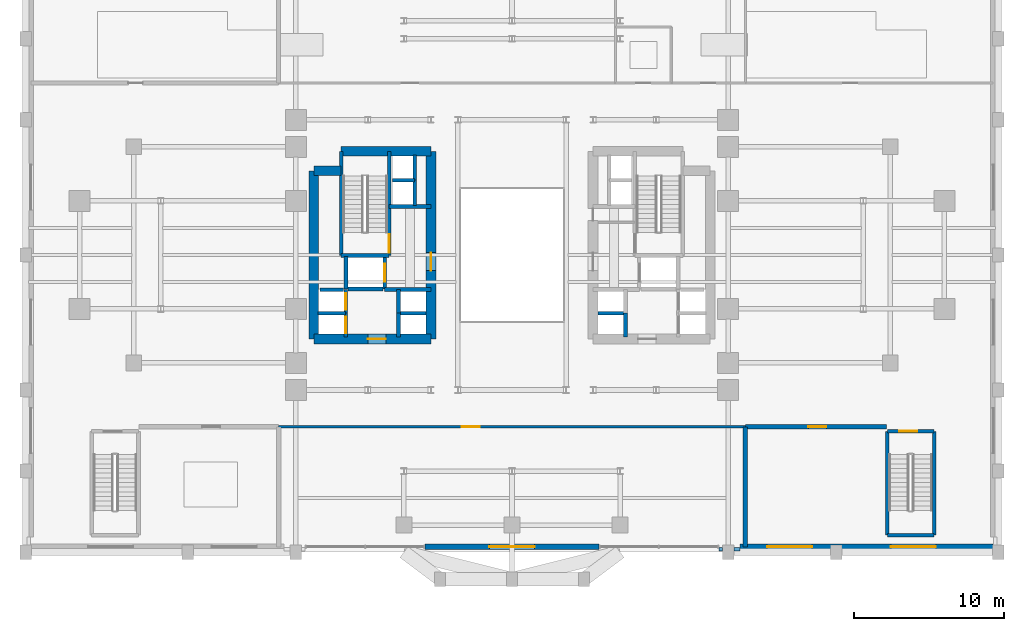
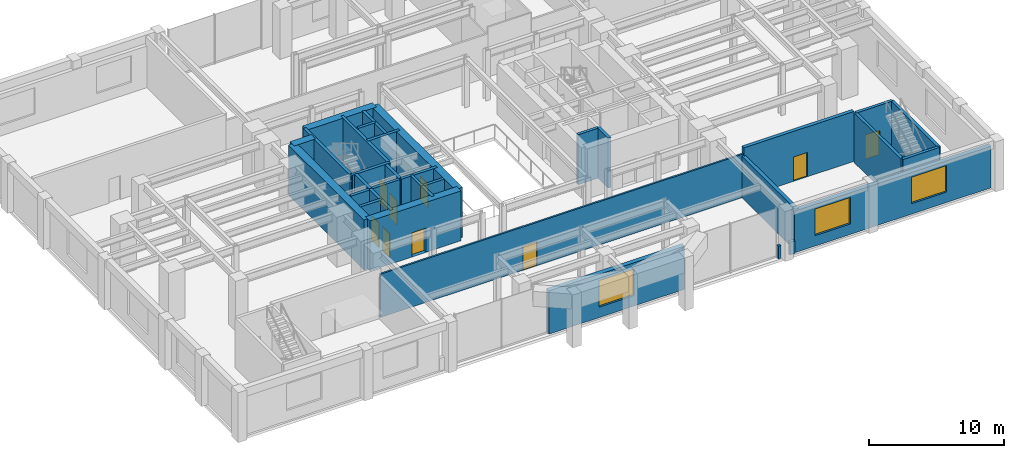
# One storey, part 10 of 14: 36 walls, 9 doors, 3 windows, 12 openings.
"""IFC4 building model written with IfcOpenShell, lengths in metres."""

from ifc_helpers import new_model, si_unit, direction, frame, frame_2d, origin, place, context, subcontext, project, spatial, rectangle, extrude, source, transform, mapped, material, layer, layer_set, type_object, element, fill, save


model = new_model("IFC4")

# Units and contexts
model_context = context("Model", 3, precision=1e-05, world=origin(), true_north=direction((0.0, 1.0)))
body_context = subcontext(model_context, "Body", "Model", "MODEL_VIEW")
ifc_project = project(units=[si_unit("LENGTHUNIT", "METRE"), si_unit("AREAUNIT", "SQUARE_METRE"), si_unit("VOLUMEUNIT", "CUBIC_METRE"), si_unit("PLANEANGLEUNIT", "RADIAN"), si_unit("MASSUNIT", "GRAM", prefix="KILO")], contexts=[model_context])

# Site, building, storey
site_placement = place(None, origin())
site = spatial("IfcSite", under=ifc_project, at=site_placement, CompositionType="ELEMENT")
building_placement = place(site_placement, origin())
building = spatial("IfcBuilding", under=site, at=building_placement, Name="Keilestroom Media Tower", CompositionType="ELEMENT")
storey_placement = place(building_placement, frame((0.0, 0.0, 5.39990234375)))
storey = spatial("IfcBuildingStorey", under=building, at=storey_placement, Name="L01", CompositionType="ELEMENT", Elevation=5.39990234375)

# Wall, opening, door
ifc_material_1 = material(Name="Concrete C45/55", Category="concrete")
ifc_layer_1 = layer(ifc_material_1, 0.300048828125)
ifc_layer_set_1 = layer_set([ifc_layer_1], Name="Concrete C45/55")
wall_type_1 = type_object("IfcWallType", Name="Acoustic-Studio-Isolation-Wall-300", PredefinedType="SOLIDWALL", material=ifc_layer_set_1)
wall_1_placement = place(storey_placement, frame((15.550048828125, -11.449951171875, 0.0), z_axis=(0.0, 0.0, 1.0), x_axis=(1.0, 0.0, 0.0)))
wall_1 = element("IfcWall", 1, at=wall_1_placement, inside=storey, type_object=wall_type_1, Name="L01 Interior Wall WP-L01-STD-SE-N", PredefinedType="SOLIDWALL", context=body_context, shape_type="SweptSolid", body=[
    extrude(rectangle(XDim=9.409912109375, YDim=0.300048828125, at=frame_2d((4.705078125, 0.0))), origin(), (0.0, 0.0, 1.0), 4.52001953125),
])
opening_1_placement = place(wall_1_placement, frame((4.199951171875, 0.0, 0.0)))
opening_1 = element("IfcOpeningElement", 2, at=opening_1_placement, cuts=wall_1, Name="Opening DI-02", PredefinedType="OPENING", context=body_context, shape_type="SweptSolid", body=[
    extrude(rectangle(XDim=1.199951171875, YDim=2.199951171875, at=frame_2d((0.60009765625, 1.10009765625))), frame((0.0, 0.16015625, 0.0), z_axis=(0.0, -1.0, 0.0), x_axis=(1.0, 0.0, 0.0)), (0.0, 0.0, 1.0), 0.320068359375),
])
ifc_material_2 = material(Name="Powder-Coated Steel Fire Leaf", Category="steel")
door_type_1 = type_object("IfcDoorType", Name="Interior-Compartment-Fire-Door-DI-02", OperationType="NOTDEFINED", PredefinedType="DOOR", material=ifc_material_2)
shared_shape_1 = source(origin(), body_context, "Body", "SweptSolid", [
    extrude(rectangle(XDim=1.199951171875, YDim=2.199951171875, at=frame_2d((0.60009765625, 1.10009765625))), frame((0.0, 0.02490234375, 0.0), z_axis=(0.0, -1.0, 0.0), x_axis=(1.0, 0.0, 0.0)), (0.0, 0.0, 1.0), 0.050048828125),
])
door_1_placement = place(opening_1_placement, origin())
door_1 = element("IfcDoor", 3, at=door_1_placement, inside=storey, type_object=door_type_1, Name="L01 Interior Door DI-L01-STD-SE-D", OperationType="SINGLE_SWING_RIGHT", OverallHeight=2.199951171875, OverallWidth=1.199951171875, PredefinedType="DOOR", context=body_context, shape_type="MappedRepresentation", body=[
    mapped(shared_shape_1, transform((0.0, 0.0, 0.0), x_axis=(1.0, 0.0, 0.0), y_axis=(0.0, 1.0, 0.0), z_axis=(0.0, 0.0, 1.0), scale=1.0)),
])
fill(opening_1, door_1)

# Wall
wall_2_placement = place(storey_placement, frame((15.550048828125, -19.449951171875, 0.0), z_axis=(0.0, 0.0, 1.0), x_axis=(0.0, 1.0, 0.0)))
element("IfcWall", 4, at=wall_2_placement, inside=storey, type_object=wall_type_1, Name="L01 Interior Wall WP-L01-STD-SE-W", PredefinedType="SOLIDWALL", context=body_context, shape_type="SweptSolid", body=[
    extrude(rectangle(XDim=8.0, YDim=0.300048828125, at=frame_2d((4.0, 0.0))), origin(), (0.0, 0.0, 1.0), 3.77001953125),
])

# Wall, openings, windows
ifc_material_3 = material(Name="Precast concrete C40/50", Category="concrete")
ifc_layer_2 = layer(ifc_material_3, 0.3798828125)
ifc_layer_set_2 = layer_set([ifc_layer_2], Name="Precast concrete C40/50")
wall_type_2 = type_object("IfcWallType", Name="Exterior-Masonry-Spandrel-Wall-380", PredefinedType="SOLIDWALL", material=ifc_layer_set_2)
wall_3_placement = place(storey_placement, frame((15.199951171875, -19.449951171875, 0.0), z_axis=(0.0, 0.0, 1.0), x_axis=(1.0, 0.0, 0.0)))
wall_3 = element("IfcWall", 5, at=wall_3_placement, inside=storey, type_object=wall_type_2, Name="L01 Podium Precast Masonry Wall EWL-L01-S-E", PredefinedType="SOLIDWALL", context=body_context, shape_type="SweptSolid", body=[
    extrude(rectangle(XDim=16.85009765625, YDim=0.3798828125, at=frame_2d((8.425048828125, 0.0))), origin(), (0.0, 0.0, 1.0), 3.77001953125),
])
opening_2_placement = place(wall_3_placement, frame((1.7880859375, 0.0, 0.949951171875)))
opening_2 = element("IfcOpeningElement", 6, at=opening_2_placement, cuts=wall_3, Name="Opening WN-05", PredefinedType="OPENING", context=body_context, shape_type="SweptSolid", body=[
    extrude(rectangle(XDim=3.0, YDim=2.39990234375, at=frame_2d((1.5, 1.199951171875))), frame((0.0, 0.199951171875, 0.0), z_axis=(0.0, -1.0, 0.0), x_axis=(1.0, 0.0, 0.0)), (0.0, 0.0, 1.0), 0.39990234375),
])
opening_3_placement = place(wall_3_placement, frame((10.037109375, 0.0, 0.949951171875)))
opening_3 = element("IfcOpeningElement", 7, at=opening_3_placement, cuts=wall_3, Name="Opening WN-05", PredefinedType="OPENING", context=body_context, shape_type="SweptSolid", body=[
    extrude(rectangle(XDim=3.0, YDim=2.39990234375, at=frame_2d((1.5, 1.199951171875))), frame((0.0, 0.199951171875, 0.0), z_axis=(0.0, -1.0, 0.0), x_axis=(1.0, 0.0, 0.0)), (0.0, 0.0, 1.0), 0.39990234375),
])
ifc_material_4 = material(Name="Acoustic Studio Observation Window", Category="glass")
window_type = type_object("IfcWindowType", Name="Recessed-Punched-Window-WN-05", PartitioningType="TRIPLE_PANEL_VERTICAL", PredefinedType="WINDOW", material=ifc_material_4)
shared_shape_2 = source(origin(), body_context, "Body", "SweptSolid", [
    extrude(rectangle(XDim=3.0, YDim=2.39990234375, at=frame_2d((1.5, 1.199951171875))), frame((0.0, 0.030029296875, 0.0), z_axis=(0.0, -1.0, 0.0), x_axis=(1.0, 0.0, 0.0)), (0.0, 0.0, 1.0), 0.06005859375),
])
window_1_placement = place(opening_2_placement, origin())
window_1 = element("IfcWindow", 8, at=window_1_placement, inside=storey, type_object=window_type, Name="L01 Window WN-05 EWL-L01-S-E-1", OverallHeight=2.39990234375, OverallWidth=3.0, PartitioningType="SINGLE_PANEL", PredefinedType="WINDOW", context=body_context, shape_type="MappedRepresentation", body=[
    mapped(shared_shape_2, transform((0.0, 0.0, 0.0), x_axis=(1.0, 0.0, 0.0), y_axis=(0.0, 1.0, 0.0), z_axis=(0.0, 0.0, 1.0), scale=1.0)),
])
fill(opening_2, window_1)
window_2_placement = place(opening_3_placement, origin())
window_2 = element("IfcWindow", 9, at=window_2_placement, inside=storey, type_object=window_type, Name="L01 Window WN-05 EWL-L01-S-E-2", OverallHeight=2.39990234375, OverallWidth=3.0, PartitioningType="SINGLE_PANEL", PredefinedType="WINDOW", context=body_context, shape_type="MappedRepresentation", body=[
    mapped(shared_shape_2, transform((0.0, 0.0, 0.0), x_axis=(1.0, 0.0, 0.0), y_axis=(0.0, 1.0, 0.0), z_axis=(0.0, 0.0, 1.0), scale=1.0)),
])
fill(opening_3, window_2)

# Wall, opening, window
wall_4_placement = place(storey_placement, frame((-5.804931640625, -19.449951171875, 0.0), z_axis=(0.0, 0.0, 1.0), x_axis=(1.0, 0.0, 0.0)))
wall_4 = element("IfcWall", 10, at=wall_4_placement, inside=storey, type_object=wall_type_2, Name="L01 Podium Precast Masonry Wall EWL-L01-S-C-1", PredefinedType="SOLIDWALL", context=body_context, shape_type="SweptSolid", body=[
    extrude(rectangle(XDim=11.60986328125, YDim=0.3798828125, at=frame_2d((5.804931640625, 0.0))), origin(), (0.0, 0.0, 1.0), 3.920166015625),
])
opening_4_placement = place(wall_4_placement, frame((4.304931640625, 0.0, 0.949951171875)))
opening_4 = element("IfcOpeningElement", 11, at=opening_4_placement, cuts=wall_4, Name="Opening WN-05", PredefinedType="OPENING", context=body_context, shape_type="SweptSolid", body=[
    extrude(rectangle(XDim=3.0, YDim=2.39990234375, at=frame_2d((1.5, 1.199951171875))), frame((0.0, 0.199951171875, 0.0), z_axis=(0.0, -1.0, 0.0), x_axis=(1.0, 0.0, 0.0)), (0.0, 0.0, 1.0), 0.39990234375),
])
window_3_placement = place(opening_4_placement, origin())
window_3 = element("IfcWindow", 12, at=window_3_placement, inside=storey, type_object=window_type, Name="L01 Window WN-05 EWL-L01-S-C-1-1", OverallHeight=2.39990234375, OverallWidth=3.0, PartitioningType="SINGLE_PANEL", PredefinedType="WINDOW", context=body_context, shape_type="MappedRepresentation", body=[
    mapped(shared_shape_2, transform((0.0, 0.0, 0.0), x_axis=(1.0, 0.0, 0.0), y_axis=(0.0, 1.0, 0.0), z_axis=(0.0, 0.0, 1.0), scale=1.0)),
])
fill(opening_4, window_3)

# Wall, opening, door
ifc_material_5 = material(Name="Gypsum Plasterboard & Steel Stud", Category="steel")
ifc_layer_3 = layer(ifc_material_5, 0.14990234375)
ifc_layer_set_3 = layer_set([ifc_layer_3], Name="Gypsum Plasterboard & Steel Stud")
wall_type_3 = type_object("IfcWallType", Name="Interior-Partition-Wall-150", PredefinedType="PARTITIONING", material=ifc_layer_set_3)
wall_5_placement = place(storey_placement, frame((-15.550048828125, -11.449951171875, 0.0), z_axis=(0.0, 0.0, 1.0), x_axis=(1.0, 0.0, 0.0)))
wall_5 = element("IfcWall", 13, at=wall_5_placement, inside=storey, type_object=wall_type_3, Name="L01 Interior Wall WP-L01-ARCH-S-N", PredefinedType="PARTITIONING", context=body_context, shape_type="SweptSolid", body=[
    extrude(rectangle(XDim=31.10009765625, YDim=0.14990234375, at=frame_2d((15.550048828125, 0.0))), origin(), (0.0, 0.0, 1.0), 3.920166015625),
])
opening_5_placement = place(wall_5_placement, frame((12.199951171875, 0.0, 0.0)))
opening_5 = element("IfcOpeningElement", 14, at=opening_5_placement, cuts=wall_5, Name="Opening DI-02", PredefinedType="OPENING", context=body_context, shape_type="SweptSolid", body=[
    extrude(rectangle(XDim=1.199951171875, YDim=2.199951171875, at=frame_2d((0.60009765625, 1.10009765625))), frame((0.0, 0.0849609375, 0.0), z_axis=(0.0, -1.0, 0.0), x_axis=(1.0, 0.0, 0.0)), (0.0, 0.0, 1.0), 0.169921875),
])
door_2_placement = place(opening_5_placement, origin())
door_2 = element("IfcDoor", 15, at=door_2_placement, inside=storey, type_object=door_type_1, Name="L01 Interior Door DI-L01-ARCH-S-D", OperationType="SINGLE_SWING_LEFT", OverallHeight=2.199951171875, OverallWidth=1.199951171875, PredefinedType="DOOR", context=body_context, shape_type="MappedRepresentation", body=[
    mapped(shared_shape_1, transform((0.0, 0.0, 0.0), x_axis=(1.0, 0.0, 0.0), y_axis=(0.0, 1.0, 0.0), z_axis=(0.0, 0.0, 1.0), scale=1.0)),
])
fill(opening_5, door_2)

# Wall
ifc_material_6 = material(Name="Concrete C70/85", Category="concrete")
ifc_layer_4 = layer(ifc_material_6, 0.64990234375)
ifc_layer_set_4 = layer_set([ifc_layer_4], Name="Concrete C70/85")
wall_type_4 = type_object("IfcWallType", Name="Reinforced-Concrete-Core-Shear-Wall-650", PredefinedType="SHEAR", material=ifc_layer_set_4)
wall_6_placement = place(storey_placement, frame((-13.199951171875, -5.60009765625, 0.0), z_axis=(0.0, 0.0, 1.0), x_axis=(0.0, 1.0, 0.0)))
element("IfcWall", 16, at=wall_6_placement, inside=storey, type_object=wall_type_4, Name="L01 Core Shear Wall WL-L01-CORE-W-OUT", PredefinedType="SHEAR", context=body_context, shape_type="SweptSolid", body=[
    extrude(rectangle(XDim=11.2001953125, YDim=0.64990234375, at=frame_2d((5.60009765625, 0.0))), origin(), (0.0, 0.0, 1.0), 4.52001953125),
])

# Wall, opening, door
wall_7_placement = place(storey_placement, frame((-5.39990234375, -5.60009765625, 0.0), z_axis=(0.0, 0.0, 1.0), x_axis=(0.0, 1.0, 0.0)))
wall_7 = element("IfcWall", 17, at=wall_7_placement, inside=storey, type_object=wall_type_4, Name="L01 Core Shear Wall WL-L01-CORE-W-IN", PredefinedType="SHEAR", context=body_context, shape_type="SweptSolid", body=[
    extrude(rectangle(XDim=12.5, YDim=0.64990234375, at=frame_2d((6.25, 0.0))), origin(), (0.0, 0.0, 1.0), 4.52001953125),
])
opening_6_placement = place(wall_7_placement, frame((4.550048828125, 0.0, 0.0)))
opening_6 = element("IfcOpeningElement", 18, at=opening_6_placement, cuts=wall_7, Name="Opening DI-02", PredefinedType="OPENING", context=body_context, shape_type="SweptSolid", body=[
    extrude(rectangle(XDim=1.199951171875, YDim=2.199951171875, at=frame_2d((0.60009765625, 1.10009765625))), frame((0.0, 0.3349609375, 0.0), z_axis=(0.0, -1.0, 0.0), x_axis=(1.0, 0.0, 0.0)), (0.0, 0.0, 1.0), 0.669921875),
])
door_3_placement = place(opening_6_placement, origin())
door_3 = element("IfcDoor", 19, at=door_3_placement, inside=storey, type_object=door_type_1, Name="L01 W Firefighting Lobby Door", OperationType="SINGLE_SWING_RIGHT", OverallHeight=2.199951171875, OverallWidth=1.199951171875, PredefinedType="DOOR", context=body_context, shape_type="MappedRepresentation", body=[
    mapped(shared_shape_1, transform((0.0, 0.0, 0.0), x_axis=(1.0, 0.0, 0.0), y_axis=(0.0, 1.0, 0.0), z_axis=(0.0, 0.0, 1.0), scale=1.0)),
])
fill(opening_6, door_3)

# Walls
wall_8_placement = place(storey_placement, frame((-11.381103515625, 6.89990234375, 0.0), z_axis=(0.0, 0.0, 1.0), x_axis=(1.0, 0.0, 0.0)))
element("IfcWall", 20, at=wall_8_placement, inside=storey, type_object=wall_type_4, Name="L01 Core Shear Wall WL-L01-CORE-W-N", PredefinedType="SHEAR", context=body_context, shape_type="SweptSolid", body=[
    extrude(rectangle(XDim=5.981201171875, YDim=0.64990234375, at=frame_2d((2.99072265625, 0.0))), origin(), (0.0, 0.0, 1.0), 4.52001953125),
])
wall_9_placement = place(storey_placement, frame((-13.199951171875, 5.60009765625, 0.0), z_axis=(0.0, 0.0, 1.0), x_axis=(1.0, 0.0, 0.0)))
element("IfcWall", 21, at=wall_9_placement, inside=storey, type_object=wall_type_4, Name="L01 Core Shear Wall WL-L01-CNW-N", PredefinedType="SHEAR", context=body_context, shape_type="SweptSolid", body=[
    extrude(rectangle(XDim=1.81884765625, YDim=0.64990234375, at=frame_2d((0.909423828125, 0.0))), origin(), (0.0, 0.0, 1.0), 4.52001953125),
])

# Wall, opening, door
wall_10_placement = place(storey_placement, frame((-13.199951171875, -5.60009765625, 0.0), z_axis=(0.0, 0.0, 1.0), x_axis=(1.0, 0.0, 0.0)))
wall_10 = element("IfcWall", 22, at=wall_10_placement, inside=storey, type_object=wall_type_4, Name="L01 Core Shear Wall WL-L01-CORE-W-S", PredefinedType="SHEAR", context=body_context, shape_type="SweptSolid", body=[
    extrude(rectangle(XDim=7.800048828125, YDim=0.64990234375, at=frame_2d((3.89990234375, 0.0))), origin(), (0.0, 0.0, 1.0), 4.52001953125),
])
opening_7_placement = place(wall_10_placement, frame((3.60009765625, 0.0, 0.0)))
opening_7 = element("IfcOpeningElement", 23, at=opening_7_placement, cuts=wall_10, Name="Opening DI-02", PredefinedType="OPENING", context=body_context, shape_type="SweptSolid", body=[
    extrude(rectangle(XDim=1.199951171875, YDim=2.199951171875, at=frame_2d((0.60009765625, 1.10009765625))), frame((0.0, 0.3349609375, 0.0), z_axis=(0.0, -1.0, 0.0), x_axis=(1.0, 0.0, 0.0)), (0.0, 0.0, 1.0), 0.669921875),
])
door_4_placement = place(opening_7_placement, origin())
door_4 = element("IfcDoor", 24, at=door_4_placement, inside=storey, type_object=door_type_1, Name="L01 W Passenger Lift Lobby Door", OperationType="SINGLE_SWING_LEFT", OverallHeight=2.199951171875, OverallWidth=1.199951171875, PredefinedType="DOOR", context=body_context, shape_type="MappedRepresentation", body=[
    mapped(shared_shape_1, transform((0.0, 0.0, 0.0), x_axis=(1.0, 0.0, 0.0), y_axis=(0.0, 1.0, 0.0), z_axis=(0.0, 0.0, 1.0), scale=1.0)),
])
fill(opening_7, door_4)

# Walls
ifc_material_7 = material(Name="Concrete C50/60", Category="concrete")
ifc_layer_5 = layer(ifc_material_7, 0.25)
ifc_layer_set_5 = layer_set([ifc_layer_5], Name="Concrete C50/60")
wall_type_5 = type_object("IfcWallType", Name="Reinforced-Concrete-Shaft-Wall-250", PredefinedType="SOLIDWALL", material=ifc_layer_set_5)
wall_11_placement = place(storey_placement, frame((-8.179931640625, 3.219970703125, 0.0), z_axis=(0.0, 0.0, 1.0), x_axis=(1.0, 0.0, 0.0)))
element("IfcWall", 25, at=wall_11_placement, inside=storey, type_object=wall_type_5, Name="L01 Core Shear Wall WL-L01-CORE-W-FFN", PredefinedType="SOLIDWALL", context=body_context, shape_type="SweptSolid", body=[
    extrude(rectangle(XDim=2.780029296875, YDim=0.25, at=frame_2d((1.39013671875, 0.0))), origin(), (0.0, 0.0, 1.0), 4.52001953125),
])
wall_12_placement = place(storey_placement, frame((-8.47998046875, -2.300048828125, 0.0), z_axis=(0.0, 0.0, 1.0), x_axis=(1.0, 0.0, 0.0)))
element("IfcWall", 26, at=wall_12_placement, inside=storey, type_object=wall_type_5, Name="L01 Core Shear Wall WL-L01-CORE-W-FFS", PredefinedType="SOLIDWALL", context=body_context, shape_type="SweptSolid", body=[
    extrude(rectangle(XDim=3.080078125, YDim=0.25, at=frame_2d((1.5400390625, 0.0))), origin(), (0.0, 0.0, 1.0), 4.52001953125),
])

# Wall, opening, door
wall_13_placement = place(storey_placement, frame((-8.178955078125, -0.041015625, 0.0), z_axis=(0.0, 0.0, 1.0), x_axis=(0.0, 1.0, 0.0)))
wall_13 = element("IfcWall", 27, at=wall_13_placement, inside=storey, type_object=wall_type_5, Name="L01 Core Shear Wall WL-L01-STW-W-NEAR", PredefinedType="SOLIDWALL", context=body_context, shape_type="SweptSolid", body=[
    extrude(rectangle(XDim=6.94091796875, YDim=0.25, at=frame_2d((3.470458984375, 0.0))), origin(), (0.0, 0.0, 1.0), 4.52001953125),
])
opening_8_placement = place(wall_13_placement, frame((0.199951171875, 0.0, 0.0)))
opening_8 = element("IfcOpeningElement", 28, at=opening_8_placement, cuts=wall_13, Name="Opening DI-01S", PredefinedType="OPENING", context=body_context, shape_type="SweptSolid", body=[
    extrude(rectangle(XDim=1.199951171875, YDim=2.199951171875, at=frame_2d((0.60009765625, 1.10009765625))), frame((0.0, 0.135009765625, 0.0), z_axis=(0.0, -1.0, 0.0), x_axis=(1.0, 0.0, 0.0)), (0.0, 0.0, 1.0), 0.27001953125),
])
door_type_2 = type_object("IfcDoorType", Name="Interior-Stair-And-Core-Fire-Door-DI-01", OperationType="NOTDEFINED", PredefinedType="DOOR", material=ifc_material_2)
door_5_placement = place(opening_8_placement, origin())
door_5 = element("IfcDoor", 29, at=door_5_placement, inside=storey, type_object=door_type_2, Name="L01 Escape Stair ST-1 Fire Door", OperationType="SINGLE_SWING_LEFT", OverallHeight=2.199951171875, OverallWidth=1.199951171875, PredefinedType="DOOR", context=body_context, shape_type="MappedRepresentation", body=[
    mapped(shared_shape_1, transform((0.0, 0.0, 0.0), x_axis=(1.0, 0.0, 0.0), y_axis=(0.0, 1.0, 0.0), z_axis=(0.0, 0.0, 1.0), scale=1.0)),
])
fill(opening_8, door_5)

# Walls
wall_14_placement = place(storey_placement, frame((-11.381103515625, -0.041015625, 0.0), z_axis=(0.0, 0.0, 1.0), x_axis=(0.0, 1.0, 0.0)))
element("IfcWall", 30, at=wall_14_placement, inside=storey, type_object=wall_type_5, Name="L01 Core Shear Wall WL-L01-STW-W-FAR", PredefinedType="SOLIDWALL", context=body_context, shape_type="SweptSolid", body=[
    extrude(rectangle(XDim=6.94091796875, YDim=0.25, at=frame_2d((3.470458984375, 0.0))), origin(), (0.0, 0.0, 1.0), 4.52001953125),
])
wall_15_placement = place(storey_placement, frame((-11.381103515625, -0.041015625, 0.0), z_axis=(0.0, 0.0, 1.0), x_axis=(1.0, 0.0, 0.0)))
element("IfcWall", 31, at=wall_15_placement, inside=storey, type_object=wall_type_5, Name="L01 Core Shear Wall WL-L01-STW-W-S", PredefinedType="SOLIDWALL", context=body_context, shape_type="SweptSolid", body=[
    extrude(rectangle(XDim=3.2021484375, YDim=0.25, at=frame_2d((1.60107421875, 0.0))), origin(), (0.0, 0.0, 1.0), 4.52001953125),
])
for number, where, z_axis, x_axis, name in (
    (32, (24.9990234375, -18.6708984375, 0.0), (0.0, 0.0, 1.0), (0.0, 1.0, 0.0), "L01 Core Shear Wall WL-L01-ST-4-W"),
    (33, (28.12109375, -18.6708984375, 0.0), (0.0, 0.0, 1.0), (0.0, 1.0, 0.0), "L01 Core Shear Wall WL-L01-ST-4-E"),
):
    element("IfcWall", number, at=place(storey_placement, frame(where, z_axis=z_axis, x_axis=x_axis)), inside=storey, type_object=wall_type_5, Name=name, PredefinedType="SOLIDWALL", context=body_context, shape_type="SweptSolid", body=[
        extrude(rectangle(XDim=6.921875, YDim=0.25, at=frame_2d((3.4609375, 0.0))), origin(), (0.0, 0.0, 1.0), 4.52001953125),
    ])
wall_16_placement = place(storey_placement, frame((24.9990234375, -18.6708984375, 0.0), z_axis=(0.0, 0.0, 1.0), x_axis=(1.0, 0.0, 0.0)))
element("IfcWall", 34, at=wall_16_placement, inside=storey, type_object=wall_type_5, Name="L01 Core Shear Wall WL-L01-ST-4-S", PredefinedType="SOLIDWALL", context=body_context, shape_type="SweptSolid", body=[
    extrude(rectangle(XDim=3.1220703125, YDim=0.25, at=frame_2d((1.56103515625, 0.0))), origin(), (0.0, 0.0, 1.0), 4.52001953125),
])

# Wall, opening, door
wall_17_placement = place(storey_placement, frame((24.9990234375, -11.7490234375, 0.0), z_axis=(0.0, 0.0, 1.0), x_axis=(1.0, 0.0, 0.0)))
wall_17 = element("IfcWall", 35, at=wall_17_placement, inside=storey, type_object=wall_type_5, Name="L01 Core Shear Wall WL-L01-ST-4-N", PredefinedType="SOLIDWALL", context=body_context, shape_type="SweptSolid", body=[
    extrude(rectangle(XDim=3.1220703125, YDim=0.25, at=frame_2d((1.56103515625, 0.0))), origin(), (0.0, 0.0, 1.0), 4.52001953125),
])
opening_9_placement = place(wall_17_placement, frame((0.800048828125, 0.0, 0.0)))
opening_9 = element("IfcOpeningElement", 36, at=opening_9_placement, cuts=wall_17, Name="Opening DI-01S", PredefinedType="OPENING", context=body_context, shape_type="SweptSolid", body=[
    extrude(rectangle(XDim=1.199951171875, YDim=2.199951171875, at=frame_2d((0.60009765625, 1.10009765625))), frame((0.0, 0.135009765625, 0.0), z_axis=(0.0, -1.0, 0.0), x_axis=(1.0, 0.0, 0.0)), (0.0, 0.0, 1.0), 0.27001953125),
])
door_6_placement = place(opening_9_placement, origin())
door_6 = element("IfcDoor", 37, at=door_6_placement, inside=storey, type_object=door_type_2, Name="L01 Podium Stair ST-4 Fire Door", OperationType="SINGLE_SWING_LEFT", OverallHeight=2.199951171875, OverallWidth=1.199951171875, PredefinedType="DOOR", context=body_context, shape_type="MappedRepresentation", body=[
    mapped(shared_shape_1, transform((0.0, 0.0, 0.0), x_axis=(1.0, 0.0, 0.0), y_axis=(0.0, 1.0, 0.0), z_axis=(0.0, 0.0, 1.0), scale=1.0)),
])
fill(opening_9, door_6)

# Wall
wall_18_placement = place(storey_placement, frame((-11.050048828125, -2.280029296875, 0.0), z_axis=(0.0, 0.0, 1.0), x_axis=(0.0, 1.0, 0.0)))
element("IfcWall", 38, at=wall_18_placement, inside=storey, type_object=wall_type_5, Name="L01 Core Shear Wall WL-L01-LSH-FFL-1-W", PredefinedType="SOLIDWALL", context=body_context, shape_type="SweptSolid", body=[
    extrude(rectangle(XDim=2.179931640625, YDim=0.25, at=frame_2d((1.08984375, 0.0))), origin(), (0.0, 0.0, 1.0), 4.52001953125),
])

# Wall, opening, door
wall_19_placement = place(storey_placement, frame((-8.47998046875, -2.280029296875, 0.0), z_axis=(0.0, 0.0, 1.0), x_axis=(0.0, 1.0, 0.0)))
wall_19 = element("IfcWall", 39, at=wall_19_placement, inside=storey, type_object=wall_type_5, Name="L01 Core Shear Wall WL-L01-LSH-FFL-1-E", PredefinedType="SOLIDWALL", context=body_context, shape_type="SweptSolid", body=[
    extrude(rectangle(XDim=2.179931640625, YDim=0.25, at=frame_2d((1.08984375, 0.0))), origin(), (0.0, 0.0, 1.0), 4.52001953125),
])
opening_10_placement = place(wall_19_placement, frame((0.489990234375, 0.0, 0.0)))
opening_10 = element("IfcOpeningElement", 40, at=opening_10_placement, cuts=wall_19, Name="Opening LD-02", PredefinedType="OPENING", context=body_context, shape_type="SweptSolid", body=[
    extrude(rectangle(XDim=1.199951171875, YDim=2.199951171875, at=frame_2d((0.60009765625, 1.10009765625))), frame((0.0, 0.135009765625, 0.0), z_axis=(0.0, -1.0, 0.0), x_axis=(1.0, 0.0, 0.0)), (0.0, 0.0, 1.0), 0.27001953125),
])
ifc_material_8 = material(Name="Brushed Stainless Steel Sliding Leaf", Category="steel")
door_type_3 = type_object("IfcDoorType", Name="Lift-Landing-Sliding-Door-LD-02", OperationType="SLIDING_TO_RIGHT", PredefinedType="DOOR", material=ifc_material_8)
door_7_placement = place(opening_10_placement, origin())
door_7 = element("IfcDoor", 41, at=door_7_placement, inside=storey, type_object=door_type_3, Name="L01 Lift FFL-1 Landing Sliding Door", OperationType="SLIDING_TO_RIGHT", OverallHeight=2.199951171875, OverallWidth=1.199951171875, PredefinedType="DOOR", context=body_context, shape_type="MappedRepresentation", body=[
    mapped(shared_shape_1, transform((0.0, 0.0, 0.0), x_axis=(1.0, 0.0, 0.0), y_axis=(0.0, 1.0, 0.0), z_axis=(0.0, 0.0, 1.0), scale=1.0)),
])
fill(opening_10, door_7)

# Wall
wall_20_placement = place(storey_placement, frame((-10.9208984375, -2.280029296875, 0.0), z_axis=(0.0, 0.0, 1.0), x_axis=(1.0, 0.0, 0.0)))
element("IfcWall", 42, at=wall_20_placement, inside=storey, type_object=wall_type_5, Name="L01 Core Shear Wall WL-L01-LSH-FFL-1-S", PredefinedType="SOLIDWALL", context=body_context, shape_type="SweptSolid", body=[
    extrude(rectangle(XDim=2.31201171875, YDim=0.25, at=frame_2d((1.156005859375, 0.0))), origin(), (0.0, 0.0, 1.0), 4.52001953125),
])

# Wall, opening, door
wall_21_placement = place(storey_placement, frame((-11.080078125, -5.47998046875, 0.0), z_axis=(0.0, 0.0, 1.0), x_axis=(0.0, 1.0, 0.0)))
wall_21 = element("IfcWall", 43, at=wall_21_placement, inside=storey, type_object=wall_type_5, Name="L01 Core Shear Wall WL-L01-LSH-PL-L1-E", PredefinedType="SOLIDWALL", context=body_context, shape_type="SweptSolid", body=[
    extrude(rectangle(XDim=1.60009765625, YDim=0.25, at=frame_2d((0.800048828125, 0.0))), origin(), (0.0, 0.0, 1.0), 4.52001953125),
])
opening_11_placement = place(wall_21_placement, frame((0.25, 0.0, 0.0)))
opening_11 = element("IfcOpeningElement", 44, at=opening_11_placement, cuts=wall_21, Name="Opening LD-01", PredefinedType="OPENING", context=body_context, shape_type="SweptSolid", body=[
    extrude(rectangle(XDim=1.10009765625, YDim=2.199951171875, at=frame_2d((0.550048828125, 1.10009765625))), frame((0.0, 0.135009765625, 0.0), z_axis=(0.0, -1.0, 0.0), x_axis=(1.0, 0.0, 0.0)), (0.0, 0.0, 1.0), 0.27001953125),
])
door_type_4 = type_object("IfcDoorType", Name="Lift-Landing-Sliding-Door-LD-01", OperationType="SLIDING_TO_LEFT", PredefinedType="DOOR", material=ifc_material_8)
shared_shape_3 = source(origin(), body_context, "Body", "SweptSolid", [
    extrude(rectangle(XDim=1.10009765625, YDim=2.199951171875, at=frame_2d((0.550048828125, 1.10009765625))), frame((0.0, 0.02490234375, 0.0), z_axis=(0.0, -1.0, 0.0), x_axis=(1.0, 0.0, 0.0)), (0.0, 0.0, 1.0), 0.050048828125),
])
door_8_placement = place(opening_11_placement, origin())
door_8 = element("IfcDoor", 45, at=door_8_placement, inside=storey, type_object=door_type_4, Name="L01 Lift PL-L1 Landing Sliding Door", OperationType="SLIDING_TO_LEFT", OverallHeight=2.199951171875, OverallWidth=1.10009765625, PredefinedType="DOOR", context=body_context, shape_type="MappedRepresentation", body=[
    mapped(shared_shape_3, transform((0.0, 0.0, 0.0), x_axis=(1.0, 0.0, 0.0), y_axis=(0.0, 1.0, 0.0), z_axis=(0.0, 0.0, 1.0), scale=1.0)),
])
fill(opening_11, door_8)

# Wall
wall_22_placement = place(storey_placement, frame((-12.919921875, -3.8798828125, 0.0), z_axis=(0.0, 0.0, 1.0), x_axis=(1.0, 0.0, 0.0)))
element("IfcWall", 46, at=wall_22_placement, inside=storey, type_object=wall_type_5, Name="L01 Core Shear Wall WL-L01-LSH-PL-L1-N", PredefinedType="SOLIDWALL", context=body_context, shape_type="SweptSolid", body=[
    extrude(rectangle(XDim=1.83984375, YDim=0.25, at=frame_2d((0.919921875, 0.0))), origin(), (0.0, 0.0, 1.0), 4.52001953125),
])

# Wall, opening, door
wall_23_placement = place(storey_placement, frame((-11.080078125, -3.8798828125, 0.0), z_axis=(0.0, 0.0, 1.0), x_axis=(0.0, 1.0, 0.0)))
wall_23 = element("IfcWall", 47, at=wall_23_placement, inside=storey, type_object=wall_type_5, Name="L01 Core Shear Wall WL-L01-LSH-PL-L2-E", PredefinedType="SOLIDWALL", context=body_context, shape_type="SweptSolid", body=[
    extrude(rectangle(XDim=1.559814453125, YDim=0.25, at=frame_2d((0.77978515625, 0.0))), origin(), (0.0, 0.0, 1.0), 4.52001953125),
])
opening_12_placement = place(wall_23_placement, frame((0.22998046875, 0.0, 0.0)))
opening_12 = element("IfcOpeningElement", 48, at=opening_12_placement, cuts=wall_23, Name="Opening LD-01", PredefinedType="OPENING", context=body_context, shape_type="SweptSolid", body=[
    extrude(rectangle(XDim=1.10009765625, YDim=2.199951171875, at=frame_2d((0.550048828125, 1.10009765625))), frame((0.0, 0.135009765625, 0.0), z_axis=(0.0, -1.0, 0.0), x_axis=(1.0, 0.0, 0.0)), (0.0, 0.0, 1.0), 0.27001953125),
])
door_9_placement = place(opening_12_placement, origin())
door_9 = element("IfcDoor", 49, at=door_9_placement, inside=storey, type_object=door_type_4, Name="L01 Lift PL-L2 Landing Sliding Door", OperationType="SLIDING_TO_LEFT", OverallHeight=2.199951171875, OverallWidth=1.10009765625, PredefinedType="DOOR", context=body_context, shape_type="MappedRepresentation", body=[
    mapped(shared_shape_3, transform((0.0, 0.0, 0.0), x_axis=(1.0, 0.0, 0.0), y_axis=(0.0, 1.0, 0.0), z_axis=(0.0, 0.0, 1.0), scale=1.0)),
])
fill(opening_12, door_9)

# Walls
wall_24_placement = place(storey_placement, frame((-12.791015625, -2.320068359375, 0.0), z_axis=(0.0, 0.0, 1.0), x_axis=(1.0, 0.0, 0.0)))
element("IfcWall", 50, at=wall_24_placement, inside=storey, type_object=wall_type_5, Name="L01 Core Shear Wall WL-L01-LSH-PL-L2-N", PredefinedType="SOLIDWALL", context=body_context, shape_type="SweptSolid", body=[
    extrude(rectangle(XDim=1.58203125, YDim=0.25, at=frame_2d((0.791015625, 0.0))), origin(), (0.0, 0.0, 1.0), 4.52001953125),
])
wall_25_placement = place(storey_placement, frame((-7.56005859375, -5.47998046875, 0.0), z_axis=(0.0, 0.0, 1.0), x_axis=(0.0, 1.0, 0.0)))
element("IfcWall", 51, at=wall_25_placement, inside=storey, type_object=wall_type_5, Name="L01 Core Shear Wall WL-L01-LSH-PL-M1-W", PredefinedType="SOLIDWALL", context=body_context, shape_type="SweptSolid", body=[
    extrude(rectangle(XDim=1.60009765625, YDim=0.25, at=frame_2d((0.800048828125, 0.0))), origin(), (0.0, 0.0, 1.0), 4.52001953125),
])
wall_26_placement = place(storey_placement, frame((-7.56005859375, -3.8798828125, 0.0), z_axis=(0.0, 0.0, 1.0), x_axis=(1.0, 0.0, 0.0)))
element("IfcWall", 52, at=wall_26_placement, inside=storey, type_object=wall_type_5, Name="L01 Core Shear Wall WL-L01-LSH-PL-M1-N", PredefinedType="SOLIDWALL", context=body_context, shape_type="SweptSolid", body=[
    extrude(rectangle(XDim=1.840087890625, YDim=0.25, at=frame_2d((0.919921875, 0.0))), origin(), (0.0, 0.0, 1.0), 4.52001953125),
])
wall_27_placement = place(storey_placement, frame((-7.56005859375, -3.8798828125, 0.0), z_axis=(0.0, 0.0, 1.0), x_axis=(0.0, 1.0, 0.0)))
element("IfcWall", 53, at=wall_27_placement, inside=storey, type_object=wall_type_5, Name="L01 Core Shear Wall WL-L01-LSH-PL-M2-W", PredefinedType="SOLIDWALL", context=body_context, shape_type="SweptSolid", body=[
    extrude(rectangle(XDim=1.559814453125, YDim=0.25, at=frame_2d((0.77978515625, 0.0))), origin(), (0.0, 0.0, 1.0), 4.52001953125),
])
wall_28_placement = place(storey_placement, frame((7.56005859375, -5.47998046875, 0.0), z_axis=(0.0, 0.0, 1.0), x_axis=(0.0, 1.0, 0.0)))
element("IfcWall", 54, at=wall_28_placement, inside=storey, type_object=wall_type_5, Name="L01 Core Shear Wall WL-L01-LSH-PL-M3-E", PredefinedType="SOLIDWALL", context=body_context, shape_type="SweptSolid", body=[
    extrude(rectangle(XDim=1.60009765625, YDim=0.25, at=frame_2d((0.800048828125, 0.0))), origin(), (0.0, 0.0, 1.0), 4.52001953125),
])
wall_29_placement = place(storey_placement, frame((5.719970703125, -3.8798828125, 0.0), z_axis=(0.0, 0.0, 1.0), x_axis=(1.0, 0.0, 0.0)))
element("IfcWall", 55, at=wall_29_placement, inside=storey, type_object=wall_type_5, Name="L01 Core Shear Wall WL-L01-LSH-PL-M3-N", PredefinedType="SOLIDWALL", context=body_context, shape_type="SweptSolid", body=[
    extrude(rectangle(XDim=1.840087890625, YDim=0.25, at=frame_2d((0.919921875, 0.0))), origin(), (0.0, 0.0, 1.0), 4.52001953125),
])
wall_30_placement = place(storey_placement, frame((-6.47998046875, 3.300048828125, 0.0), z_axis=(0.0, 0.0, 1.0), x_axis=(0.0, 1.0, 0.0)))
element("IfcWall", 56, at=wall_30_placement, inside=storey, type_object=wall_type_5, Name="L01 Core Shear Wall WL-L01-LSH-PL-H1-E", PredefinedType="SOLIDWALL", context=body_context, shape_type="SweptSolid", body=[
    extrude(rectangle(XDim=1.679931640625, YDim=0.25, at=frame_2d((0.83984375, 0.0))), origin(), (0.0, 0.0, 1.0), 4.52001953125),
])
wall_31_placement = place(storey_placement, frame((-7.949951171875, 4.97998046875, 0.0), z_axis=(0.0, 0.0, 1.0), x_axis=(1.0, 0.0, 0.0)))
element("IfcWall", 57, at=wall_31_placement, inside=storey, type_object=wall_type_5, Name="L01 Core Shear Wall WL-L01-LSH-PL-H1-N", PredefinedType="SOLIDWALL", context=body_context, shape_type="SweptSolid", body=[
    extrude(rectangle(XDim=1.469970703125, YDim=0.25, at=frame_2d((0.73486328125, 0.0))), origin(), (0.0, 0.0, 1.0), 4.52001953125),
])
wall_32_placement = place(storey_placement, frame((-6.47998046875, 4.97998046875, 0.0), z_axis=(0.0, 0.0, 1.0), x_axis=(0.0, 1.0, 0.0)))
element("IfcWall", 58, at=wall_32_placement, inside=storey, type_object=wall_type_5, Name="L01 Core Shear Wall WL-L01-LSH-PL-H2-E", PredefinedType="SOLIDWALL", context=body_context, shape_type="SweptSolid", body=[
    extrude(rectangle(XDim=1.669921875, YDim=0.25, at=frame_2d((0.8349609375, 0.0))), origin(), (0.0, 0.0, 1.0), 4.52001953125),
])
ifc_layer_6 = layer(ifc_material_3, 0.239990234375)
ifc_layer_set_6 = layer_set([ifc_layer_6], Name="Precast concrete C40/50")
wall_type_6 = type_object("IfcWallType", Name="Roof-And-Terrace-Parapet-Wall-240", PredefinedType="PARAPET", material=ifc_layer_set_6)
wall_33_placement = place(storey_placement, frame((15.197021484375, -19.60009765625, 0.0), z_axis=(0.0, 0.0, 1.0), x_axis=(-1.0, 0.0, 0.0)))
element("IfcWall", 59, at=wall_33_placement, inside=storey, type_object=wall_type_6, Name="L01 Perimeter Edge Parapet Wall 08", PredefinedType="PARAPET", context=body_context, shape_type="SweptSolid", body=[
    extrude(rectangle(XDim=0.4189453125, YDim=0.239990234375, at=frame_2d((0.20947265625, 0.0))), origin(), (0.0, 0.0, 1.0), 1.150146484375),
])
wall_34_placement = place(storey_placement, frame((14.02197265625, -19.60009765625, 0.0), z_axis=(0.0, 0.0, 1.0), x_axis=(-1.0, 0.0, 0.0)))
element("IfcWall", 60, at=wall_34_placement, inside=storey, type_object=wall_type_6, Name="L01 Perimeter Edge Parapet Wall 09", PredefinedType="PARAPET", context=body_context, shape_type="SweptSolid", body=[
    extrude(rectangle(XDim=0.239013671875, YDim=0.239990234375, at=frame_2d((0.11962890625, 0.0))), origin(), (0.0, 0.0, 1.0), 1.150146484375),
])

save(model, "model.ifc")
